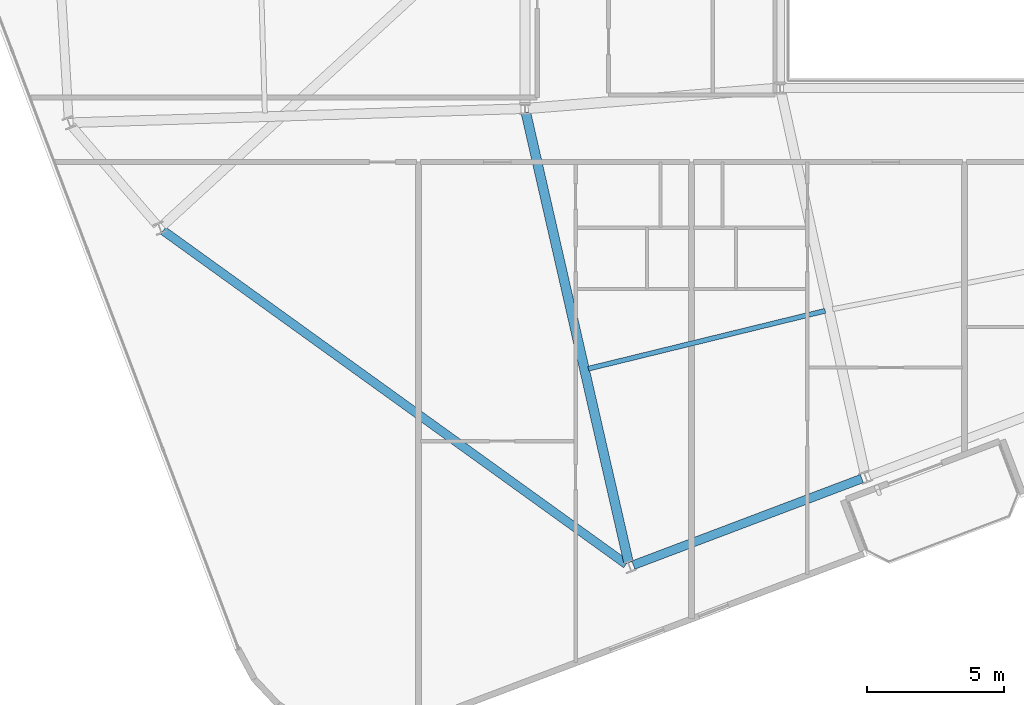
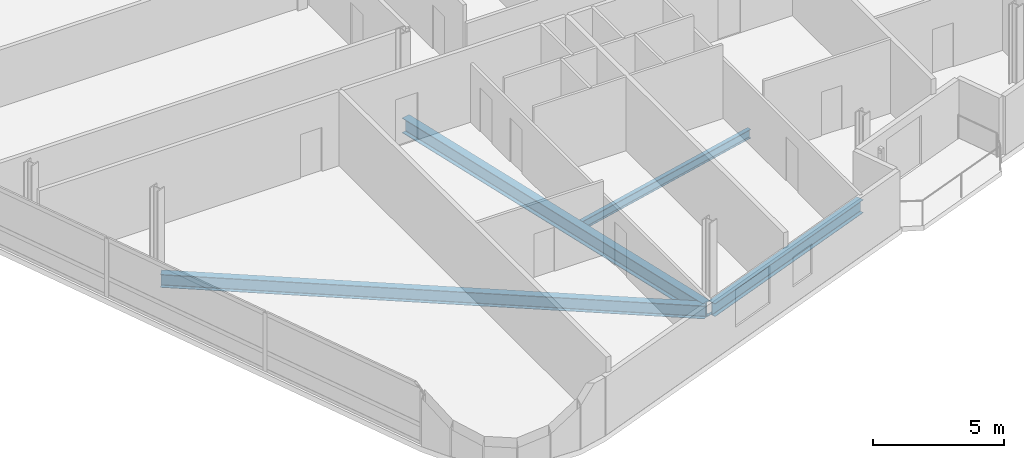
# One storey, part 4 of 20: 4 beams.
"""IFC4 building model written with IfcOpenShell, lengths in metres."""

import ifcopenshell
import ifcopenshell.guid

model = None  # the IFC model being written
_history = None  # IfcOwnerHistory: only IFC2X3 demands one
_inside = {}  # id of a spatial element -> (the spatial element, [elements in it])
_under = {}  # id of a project, library or spatial element -> (it, [spatial elements below it])
_declared = {}  # id of a project -> (the project, [libraries it declares])
_typed = {}  # id of a type object -> (the type object, [elements of that type])
_made_of = {}  # id of a material, layer set ... -> (it, [elements and type objects made of it])


def new_model(schema):
    """Start an empty IFC model of exactly this schema.

    Asked for "IFC4X3", IfcOpenShell would pick the latest addendum, in which some entities
    have other attributes; the version numbers below select the first issue.
    IFC2X3 requires an IfcOwnerHistory on every rooted entity: one is made here for all.
    """
    global model, _history
    if schema == "IFC4X3":
        model = ifcopenshell.file(schema_version=(4, 3, 0, 0))
    else:
        model = ifcopenshell.file(schema=schema)
    _inside.clear()
    _under.clear()
    _declared.clear()
    _typed.clear()
    _made_of.clear()
    _history = None
    if model.schema == "IFC2X3":
        org = make("IfcOrganization", Name="unknown")
        user = make(
            "IfcPersonAndOrganization",
            ThePerson=make("IfcPerson", FamilyName="unknown"),
            TheOrganization=org,
        )
        app = make(
            "IfcApplication",
            ApplicationDeveloper=org,
            Version="unknown",
            ApplicationFullName="unknown",
            ApplicationIdentifier="unknown",
        )
        _history = make(
            "IfcOwnerHistory",
            OwningUser=user,
            OwningApplication=app,
            ChangeAction="ADDED",
            CreationDate=0,
        )
    return model


def make(cls, **values):
    """One entity of the class cls with the attributes given. An attribute that is None is left unset."""
    return model.create_entity(
        cls, **{name: value for name, value in values.items() if value is not None}
    )


def rooted(cls, **values):
    """An entity with a GlobalId (a new one), such as an element, a storey or a relation."""
    return make(cls, GlobalId=ifcopenshell.guid.new(), OwnerHistory=_history, **values)


def si_unit(unit_type, name, prefix=None):
    """IfcSIUnit, for example si_unit("LENGTHUNIT", "METRE", prefix="MILLI")."""
    return make("IfcSIUnit", UnitType=unit_type, Prefix=prefix, Name=name)


def assignment(units):
    """IfcUnitAssignment: the units of a project."""
    return None if units is None else make("IfcUnitAssignment", Units=units)


def point(xyz):
    """IfcCartesianPoint."""
    return None if xyz is None else make("IfcCartesianPoint", Coordinates=xyz)


def direction(xyz):
    """IfcDirection."""
    return None if xyz is None else make("IfcDirection", DirectionRatios=xyz)


def frame(location, z_axis=None, x_axis=None):
    """IfcAxis2Placement3D, a coordinate frame: its origin and axes. An axis left out is left unset."""
    return make(
        "IfcAxis2Placement3D",
        Location=point(location),
        Axis=direction(z_axis),
        RefDirection=direction(x_axis),
    )


def frame_2d(location, x_axis=None):
    """IfcAxis2Placement2D, a coordinate frame in the plane: its origin and x axis."""
    return make(
        "IfcAxis2Placement2D", Location=point(location), RefDirection=direction(x_axis)
    )


def origin():
    """The frame at (0, 0, 0) with its axes left unset."""
    return frame((0.0, 0.0, 0.0))


def origin_2d():
    """The frame at (0, 0) in the plane with its x axis left unset."""
    return frame_2d((0.0, 0.0))


def place(relative_to, where):
    """IfcLocalPlacement: puts the frame where relative to a parent placement (None: the world)."""
    return make(
        "IfcLocalPlacement", PlacementRelTo=relative_to, RelativePlacement=where
    )


def context(
    kind, dimensions, precision=None, world=None, true_north=None, identifier=None
):
    """IfcGeometricRepresentationContext, for example the 3D "Model" context."""
    return make(
        "IfcGeometricRepresentationContext",
        ContextIdentifier=identifier,
        ContextType=kind,
        CoordinateSpaceDimension=dimensions,
        Precision=precision,
        WorldCoordinateSystem=world,
        TrueNorth=true_north,
    )


def subcontext(parent, identifier, kind, view, scale=None):
    """IfcGeometricRepresentationSubContext, for example "Body" below "Model"."""
    return make(
        "IfcGeometricRepresentationSubContext",
        ContextIdentifier=identifier,
        ContextType=kind,
        ParentContext=parent,
        TargetScale=scale,
        TargetView=view,
    )


def project(units=None, contexts=None):
    """IfcProject with its units and contexts."""
    return rooted(
        "IfcProject",
        Name="project",
        RepresentationContexts=contexts,
        UnitsInContext=assignment(units),
    )


def spatial(cls, under=None, at=None, **own):
    """A site, building, storey or space (cls), placed at a placement, below another one or the project."""
    s = rooted(cls, ObjectPlacement=at, **own)
    if under is not None:
        _under.setdefault(under.id(), (under, []))[1].append(s)
    return s


def profile(cls, at=None, kind="AREA", **sizes):
    """A parametric profile (cls). Its sizes go by their IFC names, for example OverallWidth=200.0."""
    return make(cls, ProfileType=kind, Position=at, **sizes)


def i_section(**sizes):
    """IfcIShapeProfileDef."""
    return profile("IfcIShapeProfileDef", **sizes)


def extrude(swept, where, along, depth):
    """IfcExtrudedAreaSolid: the profile swept, set in the frame where, extruded along a direction by depth."""
    return make(
        "IfcExtrudedAreaSolid",
        SweptArea=swept,
        Position=where,
        ExtrudedDirection=direction(along),
        Depth=depth,
    )


def shape(context_of_items, identifier, shape_type, items):
    """IfcShapeRepresentation: the items that make up one representation, for example the "Body"."""
    return make(
        "IfcShapeRepresentation",
        ContextOfItems=context_of_items,
        RepresentationIdentifier=identifier,
        RepresentationType=shape_type,
        Items=items,
    )


def material(Name=None, Category=None):
    """IfcMaterial."""
    return make("IfcMaterial", Name=Name, Category=Category)


def material_profile(
    of_material, cross_section, Name=None, Category=None, Priority=None
):
    """IfcMaterialProfile: a cross section and its material."""
    return make(
        "IfcMaterialProfile",
        Name=Name,
        Material=of_material,
        Profile=cross_section,
        Priority=Priority,
        Category=Category,
    )


def profile_set(profiles, Name=None, composite=None):
    """IfcMaterialProfileSet."""
    return make(
        "IfcMaterialProfileSet",
        Name=Name,
        MaterialProfiles=profiles,
        CompositeProfile=composite,
    )


def made_of(thing, what):
    """Note that an element or type object is made of a material, layer set ...; save() writes the relation."""
    if what is not None:
        _made_of.setdefault(what.id(), (what, []))[1].append(thing)
    return thing


def type_object(cls, material=None, **own):
    """A type object (cls), such as IfcWallType, which elements share."""
    return made_of(rooted(cls, **own), material)


def element(
    cls,
    number,
    at=None,
    inside=None,
    cuts=None,
    type_object=None,
    material=None,
    context=None,
    identifier="Body",
    shape_type=None,
    held_by="IfcProductDefinitionShape",
    body=None,
    shapes=None,
    **own,
):
    """One element of the class cls, such as IfcWall. Its Tag is "e" and its number.

    at: its placement. inside: the storey or other place that contains it. cuts: it is an
    opening in that element (IfcRelVoidsElement). A single representation is given by context,
    identifier, shape_type and body (its items); several are given by shapes. held_by: the class
    of the entity that holds the representations. save() writes the other relations.
    """
    e = rooted(cls, Tag="e%d" % number, ObjectPlacement=at, **own)
    if body is not None:
        shapes = [shape(context, identifier, shape_type, body)]
    if shapes is not None:
        e.Representation = make(held_by, Representations=shapes)
    if inside is not None:
        _inside.setdefault(inside.id(), (inside, []))[1].append(e)
    if cuts is not None:
        rooted(
            "IfcRelVoidsElement", RelatingBuildingElement=cuts, RelatedOpeningElement=e
        )
    if type_object is not None:
        _typed.setdefault(type_object.id(), (type_object, []))[1].append(e)
    return made_of(e, material)


def aggregate(whole, parts):
    """IfcRelAggregates: a whole, such as a stair, and the parts it consists of."""
    return rooted("IfcRelAggregates", RelatingObject=whole, RelatedObjects=parts)


def save(model, path):
    """Write the relations noted so far, then the file.

    IfcRelAggregates (storeys below a building ...), IfcRelContainedInSpatialStructure (elements
    in a storey), IfcRelDefinesByType, IfcRelAssociatesMaterial and IfcRelDeclares: one each for
    every whole, place, type object, material and project.
    """
    for whole, parts in _under.values():
        aggregate(whole, parts)
    for where, things in _inside.values():
        rooted(
            "IfcRelContainedInSpatialStructure",
            RelatedElements=things,
            RelatingStructure=where,
        )
    for kind, things in _typed.values():
        rooted("IfcRelDefinesByType", RelatedObjects=things, RelatingType=kind)
    for what, things in _made_of.values():
        rooted("IfcRelAssociatesMaterial", RelatedObjects=things, RelatingMaterial=what)
    for by, libraries in _declared.values():
        rooted("IfcRelDeclares", RelatingContext=by, RelatedDefinitions=libraries)
    model.write(path)


model = new_model("IFC4")

# Units and contexts
model_context = context("Model", 3, precision=1e-05, world=origin(), true_north=direction((0.0, 1.0)))
body_context = subcontext(model_context, "Body", "Model", "MODEL_VIEW")
ifc_project = project(units=[si_unit("LENGTHUNIT", "METRE"), si_unit("AREAUNIT", "SQUARE_METRE"), si_unit("VOLUMEUNIT", "CUBIC_METRE"), si_unit("PLANEANGLEUNIT", "RADIAN"), si_unit("MASSUNIT", "GRAM", prefix="KILO")], contexts=[model_context])

# Site, building, storey
site_placement = place(None, origin())
site = spatial("IfcSite", under=ifc_project, at=site_placement, CompositionType="ELEMENT")
building_placement = place(site_placement, origin())
building = spatial("IfcBuilding", under=site, at=building_placement, Name="Varnelok Gate Tower", CompositionType="ELEMENT")
storey_placement = place(building_placement, frame((0.0, 0.0, 216.39990234375)))
storey = spatial("IfcBuildingStorey", under=building, at=storey_placement, Name="L55", CompositionType="ELEMENT", Elevation=216.39990234375)

# Beams
ifc_material = material(Name="Structural Steel ASTM A992 Grade 50", Category="steel")
ifc_material_profile_1 = material_profile(ifc_material, i_section(OverallWidth=0.180908203125, OverallDepth=0.4169921875, WebThickness=0.010986328125, FlangeThickness=0.018310546875, FilletRadius=0.013916015625, at=origin_2d()), Name="W16X57")
ifc_profile_set_1 = profile_set([ifc_material_profile_1], Name="Structural Steel ASTM A992 Grade 50")
beam_type_1 = type_object("IfcBeamType", Name="BM-JST-W16X57", PredefinedType="JOIST", material=ifc_profile_set_1)
beam_1_placement = place(storey_placement, frame((26.718505859375, 9.273193359375, -0.45849609375), z_axis=(0.971369027211, 0.237575699463, 0.0), x_axis=(-0.237575699463, 0.971369027211, 0.0)))
element("IfcBeam", 1, at=beam_1_placement, inside=storey, type_object=beam_type_1, Name="L55 Sector Floor Joist 1", PredefinedType="JOIST", context=body_context, shape_type="SweptSolid", body=[
    extrude(i_section(OverallWidth=0.180908203125, OverallDepth=0.4169921875, WebThickness=0.010986328125, FlangeThickness=0.018310546875, FilletRadius=0.013916015625, at=origin_2d()), origin(), (0.0, 0.0, 1.0), 8.935302734375),
])
ifc_material_profile_2 = material_profile(ifc_material, i_section(OverallWidth=0.35498046875, OverallDepth=0.696044921875, WebThickness=0.015380859375, FlangeThickness=0.02490234375, FilletRadius=0.02001953125, at=origin_2d()), Name="W27X146")
ifc_profile_set_2 = profile_set([ifc_material_profile_2], Name="Structural Steel ASTM A992 Grade 50")
beam_type_2 = type_object("IfcBeamType", Name="BM-PRI-W27X146", PredefinedType="BEAM", material=ifc_profile_set_2)
beam_2_placement = place(storey_placement, frame((24.433349609375, 18.65380859375, -0.597900390625), z_axis=(0.222569880735, -0.974916739106, 0.0), x_axis=(0.974916739106, 0.222569880735, 0.0)))
element("IfcBeam", 2, at=beam_2_placement, inside=storey, type_object=beam_type_2, Name="L55 Radial Floor Girder 1", PredefinedType="BEAM", context=body_context, shape_type="SweptSolid", body=[
    extrude(i_section(OverallWidth=0.35498046875, OverallDepth=0.696044921875, WebThickness=0.015380859375, FlangeThickness=0.02490234375, FilletRadius=0.02001953125, at=origin_2d()), origin(), (0.0, 0.0, 1.0), 16.903564453125),
])
ifc_material_profile_3 = material_profile(ifc_material, i_section(OverallWidth=0.323974609375, OverallDepth=0.611083984375, WebThickness=0.0126953125, FlangeThickness=0.01904296875, FilletRadius=0.01806640625, at=origin_2d()), Name="W24X104")
ifc_profile_set_3 = profile_set([ifc_material_profile_3], Name="Structural Steel ASTM A992 Grade 50")
beam_type_3 = type_object("IfcBeamType", Name="BM-SPN-W24X104", PredefinedType="SPANDREL", material=ifc_profile_set_3)
beam_3_placement = place(storey_placement, frame((28.369384765625, 2.081298828125, -0.555419921875), z_axis=(0.935225969099, 0.354051389947, 0.0), x_axis=(-0.354051389947, 0.935225969099, 0.0)))
element("IfcBeam", 3, at=beam_3_placement, inside=storey, type_object=beam_type_3, Name="L55 Perimeter Spandrel Beam 1", PredefinedType="SPANDREL", context=body_context, shape_type="SweptSolid", body=[
    extrude(i_section(OverallWidth=0.323974609375, OverallDepth=0.611083984375, WebThickness=0.0126953125, FlangeThickness=0.01904296875, FilletRadius=0.01806640625, at=origin_2d()), origin(), (0.0, 0.0, 1.0), 8.949951171875),
])
beam_4_placement = place(storey_placement, frame((11.148681640625, 14.33251953125, -0.555419921875), z_axis=(0.811386760244, -0.584509645173, 0.0), x_axis=(0.584509645173, 0.811386760244, 0.0)))
element("IfcBeam", 4, at=beam_4_placement, inside=storey, type_object=beam_type_3, Name="L55 Perimeter Spandrel Beam 16", PredefinedType="SPANDREL", context=body_context, shape_type="SweptSolid", body=[
    extrude(i_section(OverallWidth=0.323974609375, OverallDepth=0.611083984375, WebThickness=0.0126953125, FlangeThickness=0.01904296875, FilletRadius=0.01806640625, at=origin_2d()), origin(), (0.0, 0.0, 1.0), 20.90087890625),
])

save(model, "model.ifc")
